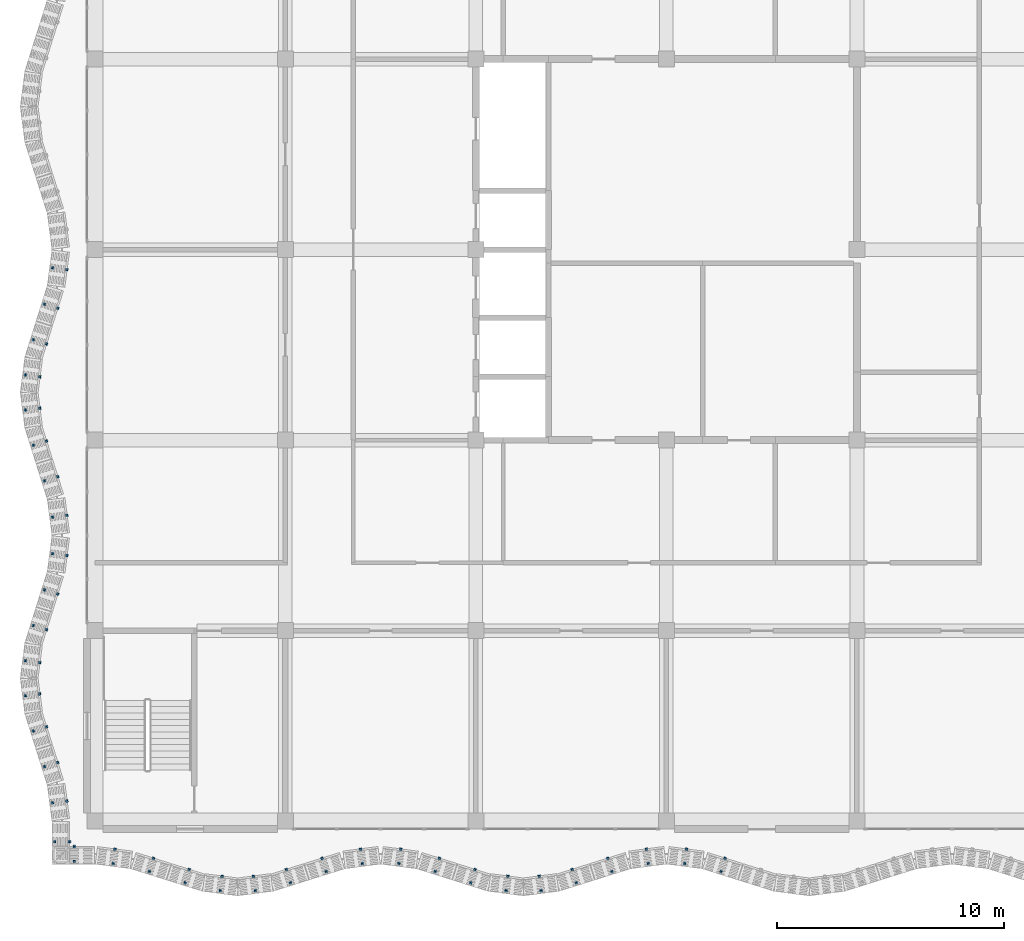
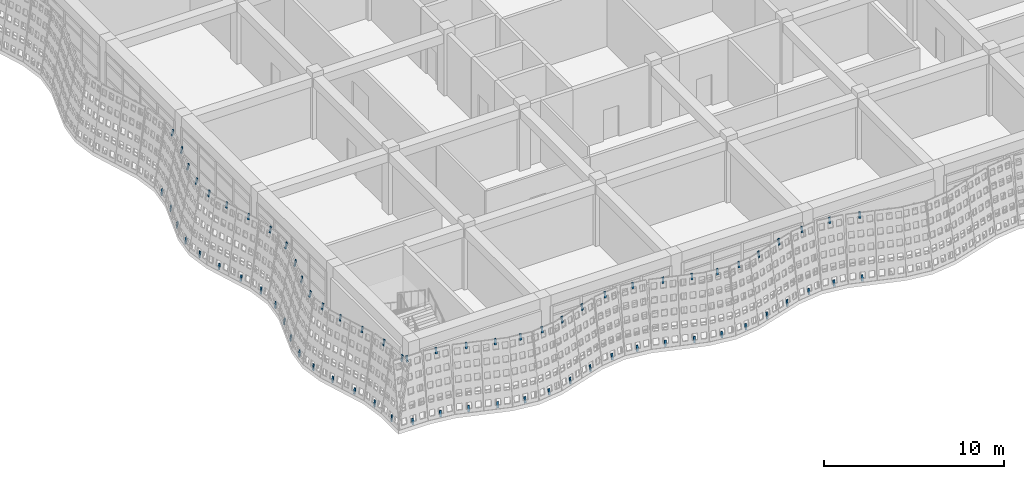
# One storey, part 99 of 162: 72 discrete accessories.
"""IFC4 building model written with IfcOpenShell, lengths in metres."""

from ifc_helpers import new_model, si_unit, direction, frame, origin, origin_2d, place, context, subcontext, project, spatial, rectangle, extrude, material, material_profile, profile_set, type_object, element, save


model = new_model("IFC4")

# Units and contexts
model_context = context("Model", 3, precision=1e-05, world=origin(), true_north=direction((0.0, 1.0)))
body_context = subcontext(model_context, "Body", "Model", "MODEL_VIEW")
ifc_project = project(units=[si_unit("LENGTHUNIT", "METRE"), si_unit("AREAUNIT", "SQUARE_METRE"), si_unit("VOLUMEUNIT", "CUBIC_METRE"), si_unit("PLANEANGLEUNIT", "RADIAN"), si_unit("MASSUNIT", "GRAM", prefix="KILO")], contexts=[model_context])

# Site, building, storey
site_placement = place(None, origin())
site = spatial("IfcSite", under=ifc_project, at=site_placement, CompositionType="ELEMENT")
building_placement = place(site_placement, origin())
building = spatial("IfcBuilding", under=site, at=building_placement, Name="Rain Tree Exposition and Congress Centre", CompositionType="ELEMENT")
storey_placement = place(building_placement, frame((0.0, 0.0, 6.0)))
storey = spatial("IfcBuildingStorey", under=building, at=storey_placement, Name="L01", CompositionType="ELEMENT", Elevation=6.0)

# Discrete accessories
ifc_material = material(Name="Steel S355J2", Category="steel")
ifc_material_profile = material_profile(ifc_material, rectangle(XDim=0.1201171875, YDim=0.050048828125, at=origin_2d()), Name="Flat bar 120x50")
ifc_profile_set = profile_set([ifc_material_profile], Name="Steel S355J2")
discrete_accessory_type = type_object("IfcDiscreteAccessoryType", Name="Screen bracket 120x50", PredefinedType="BRACKET", material=ifc_profile_set)
for number, where, z_axis, x_axis, name in (
    (1, (0.883544921875, -1.26416015625, 3.851318359375), (0.021365956631, 0.162381270396, 0.986496740452), (-0.991454295543, 0.130454512571, 0.0), "wing/bracket/L01/0011t"),
    (2, (0.801025390625, -1.898681640625, 0.004150390625), (0.021363835031, 0.162975541524, 0.986398783159), (-0.991517377774, 0.129974188098, 0.0), "wing/bracket/L01/0011b"),
):
    element("IfcDiscreteAccessory", number, at=place(storey_placement, frame(where, z_axis=z_axis, x_axis=x_axis)), inside=storey, type_object=discrete_accessory_type, Name=name, PredefinedType="BRACKET", context=body_context, shape_type="SweptSolid", body=[
        extrude(rectangle(XDim=0.1201171875, YDim=0.050048828125, at=origin_2d()), origin(), (0.0, 0.0, 1.0), 0.39990234375),
    ])
for number, where, z_axis, x_axis, name in (
    (3, (2.57861328125, -1.66552734375, 3.85107421875), (0.04699262887, 0.150742588713, 0.987455500152), (-0.954686073127, 0.297614686764, 0.0), "wing/bracket/L01/0021t"),
    (4, (2.39404296875, -2.252685546875, 0.00390625), (0.04699262887, 0.150742588713, 0.987455500152), (-0.954686073127, 0.297614686764, 0.0), "wing/bracket/L01/0021b"),
    (5, (4.150146484375, -2.159423828125, 3.85107421875), (0.047601548727, 0.150738237635, 0.987426997946), (-0.953582665134, 0.301131367937, 0.0), "wing/bracket/L01/0031t"),
    (6, (3.965576171875, -2.74658203125, 0.00390625), (0.047601548727, 0.150738237635, 0.987426997946), (-0.953582665134, 0.301131367937, 0.0), "wing/bracket/L01/0031b"),
):
    element("IfcDiscreteAccessory", number, at=place(storey_placement, frame(where, z_axis=z_axis, x_axis=x_axis)), inside=storey, type_object=discrete_accessory_type, Name=name, PredefinedType="BRACKET", context=body_context, shape_type="SweptSolid", body=[
        extrude(rectangle(XDim=0.1201171875, YDim=0.050048828125, at=origin_2d()), origin(), (0.0, 0.0, 1.0), 0.400146484375),
    ])
for number, where, z_axis, x_axis, name in (
    (7, (5.60693359375, -2.458984375, 3.851318359375), (0.021363835031, 0.162975541524, 0.986398783159), (-0.991517377774, 0.129974188098, 0.0), "wing/bracket/L01/0041t"),
    (8, (5.5244140625, -3.093505859375, 0.004150390625), (0.021363835031, 0.162975541524, 0.986398783159), (-0.991517377774, 0.129974188098, 0.0), "wing/bracket/L01/0041b"),
    (9, (6.992919921875, -2.458984375, 3.851318359375), (-0.020753706516, 0.162977636468, 0.986411462665), (-0.991989449114, -0.12632075382, 0.0), "wing/bracket/L01/0051t"),
    (10, (7.07568359375, -3.093505859375, 0.004150390625), (-0.021363835031, 0.162975541524, 0.986398783159), (-0.991517377774, -0.129974188098, 0.0), "wing/bracket/L01/0051b"),
):
    element("IfcDiscreteAccessory", number, at=place(storey_placement, frame(where, z_axis=z_axis, x_axis=x_axis)), inside=storey, type_object=discrete_accessory_type, Name=name, PredefinedType="BRACKET", context=body_context, shape_type="SweptSolid", body=[
        extrude(rectangle(XDim=0.1201171875, YDim=0.050048828125, at=origin_2d()), origin(), (0.0, 0.0, 1.0), 0.39990234375),
    ])
for number, where, z_axis, x_axis, name in (
    (11, (8.449951171875, -2.159423828125, 3.85107421875), (-0.047601548727, 0.150738237635, 0.987426997946), (-0.953582665134, -0.301131367937, 0.0), "wing/bracket/L01/0061t"),
    (12, (8.634521484375, -2.74658203125, 0.00390625), (-0.047601548727, 0.150738237635, 0.987426997946), (-0.953582665134, -0.301131367937, 0.0), "wing/bracket/L01/0061b"),
    (13, (10.021484375, -1.66552734375, 3.85107421875), (-0.04699262887, 0.150742588713, 0.987455500152), (-0.954686073127, -0.297614686764, 0.0), "wing/bracket/L01/0071t"),
    (14, (10.2060546875, -2.252685546875, 0.00390625), (-0.047601548727, 0.150738237635, 0.987426997946), (-0.953582665134, -0.301131367937, 0.0), "wing/bracket/L01/0071b"),
):
    element("IfcDiscreteAccessory", number, at=place(storey_placement, frame(where, z_axis=z_axis, x_axis=x_axis)), inside=storey, type_object=discrete_accessory_type, Name=name, PredefinedType="BRACKET", context=body_context, shape_type="SweptSolid", body=[
        extrude(rectangle(XDim=0.1201171875, YDim=0.050048828125, at=origin_2d()), origin(), (0.0, 0.0, 1.0), 0.400146484375),
    ])
for number, where, z_axis, x_axis, name in (
    (15, (11.71630859375, -1.26416015625, 3.851318359375), (-0.020755767579, 0.162383358115, 0.986509423736), (-0.991929834703, -0.126788023985, 0.0), "wing/bracket/L01/0081t"),
    (16, (11.798828125, -1.898681640625, 0.004150390625), (-0.020753706516, 0.162977636468, 0.986411462665), (-0.991989449114, -0.12632075382, 0.0), "wing/bracket/L01/0081b"),
    (17, (13.483642578125, -1.26416015625, 3.851318359375), (0.021365956631, 0.162381270396, 0.986496740452), (-0.991454295543, 0.130454512571, 0.0), "wing/bracket/L01/0091t"),
    (18, (13.401123046875, -1.898681640625, 0.004150390625), (0.020753706516, 0.162977636468, 0.986411462665), (-0.991989449114, 0.12632075382, 0.0), "wing/bracket/L01/0091b"),
):
    element("IfcDiscreteAccessory", number, at=place(storey_placement, frame(where, z_axis=z_axis, x_axis=x_axis)), inside=storey, type_object=discrete_accessory_type, Name=name, PredefinedType="BRACKET", context=body_context, shape_type="SweptSolid", body=[
        extrude(rectangle(XDim=0.1201171875, YDim=0.050048828125, at=origin_2d()), origin(), (0.0, 0.0, 1.0), 0.39990234375),
    ])
for number, where, z_axis, x_axis, name in (
    (19, (15.178466796875, -1.66552734375, 3.85107421875), (0.047601548727, 0.150738237635, 0.987426997946), (-0.953582665134, 0.301131367937, 0.0), "wing/bracket/L01/0101t"),
    (20, (14.993896484375, -2.252685546875, 0.00390625), (0.047601548727, 0.150738237635, 0.987426997946), (-0.953582665134, 0.301131367937, 0.0), "wing/bracket/L01/0101b"),
    (21, (16.75, -2.159423828125, 3.85107421875), (0.047601548727, 0.150738237635, 0.987426997946), (-0.953582665134, 0.301131367937, 0.0), "wing/bracket/L01/0111t"),
    (22, (16.565673828125, -2.74658203125, 0.00390625), (0.047601548727, 0.150738237635, 0.987426997946), (-0.953582665134, 0.301131367937, 0.0), "wing/bracket/L01/0111b"),
):
    element("IfcDiscreteAccessory", number, at=place(storey_placement, frame(where, z_axis=z_axis, x_axis=x_axis)), inside=storey, type_object=discrete_accessory_type, Name=name, PredefinedType="BRACKET", context=body_context, shape_type="SweptSolid", body=[
        extrude(rectangle(XDim=0.1201171875, YDim=0.050048828125, at=origin_2d()), origin(), (0.0, 0.0, 1.0), 0.400146484375),
    ])
for number, where, z_axis, x_axis, name in (
    (23, (18.20703125, -2.458984375, 3.851318359375), (0.020753706516, 0.162977636468, 0.986411462665), (-0.991989449114, 0.12632075382, 0.0), "wing/bracket/L01/0121t"),
    (24, (18.12451171875, -3.093505859375, 0.004150390625), (0.020753706516, 0.162977636468, 0.986411462665), (-0.991989449114, 0.12632075382, 0.0), "wing/bracket/L01/0121b"),
    (25, (19.593017578125, -2.458984375, 3.851318359375), (-0.020753706516, 0.162977636468, 0.986411462665), (-0.991989449114, -0.12632075382, 0.0), "wing/bracket/L01/0131t"),
    (26, (19.675537109375, -3.093505859375, 0.004150390625), (-0.021363835031, 0.162975541524, 0.986398783159), (-0.991517377774, -0.129974188098, 0.0), "wing/bracket/L01/0131b"),
):
    element("IfcDiscreteAccessory", number, at=place(storey_placement, frame(where, z_axis=z_axis, x_axis=x_axis)), inside=storey, type_object=discrete_accessory_type, Name=name, PredefinedType="BRACKET", context=body_context, shape_type="SweptSolid", body=[
        extrude(rectangle(XDim=0.1201171875, YDim=0.050048828125, at=origin_2d()), origin(), (0.0, 0.0, 1.0), 0.39990234375),
    ])
for number, where, z_axis, x_axis, name in (
    (27, (21.0498046875, -2.159423828125, 3.85107421875), (-0.04699262887, 0.150742588713, 0.987455500152), (-0.954686073127, -0.297614686764, 0.0), "wing/bracket/L01/0141t"),
    (28, (21.234375, -2.74658203125, 0.00390625), (-0.047601548727, 0.150738237635, 0.987426997946), (-0.953582665134, -0.301131367937, 0.0), "wing/bracket/L01/0141b"),
    (29, (22.62158203125, -1.66552734375, 3.85107421875), (-0.047601548727, 0.150738237635, 0.987426997946), (-0.953582665134, -0.301131367937, 0.0), "wing/bracket/L01/0151t"),
    (30, (22.805908203125, -2.252685546875, 0.00390625), (-0.04699262887, 0.150742588713, 0.987455500152), (-0.954686073127, -0.297614686764, 0.0), "wing/bracket/L01/0151b"),
):
    element("IfcDiscreteAccessory", number, at=place(storey_placement, frame(where, z_axis=z_axis, x_axis=x_axis)), inside=storey, type_object=discrete_accessory_type, Name=name, PredefinedType="BRACKET", context=body_context, shape_type="SweptSolid", body=[
        extrude(rectangle(XDim=0.1201171875, YDim=0.050048828125, at=origin_2d()), origin(), (0.0, 0.0, 1.0), 0.400146484375),
    ])
for number, where, z_axis, x_axis, name in (
    (31, (24.31640625, -1.26416015625, 3.851318359375), (-0.021365956631, 0.162381270396, 0.986496740452), (-0.991454295543, -0.130454512571, 0.0), "wing/bracket/L01/0161t"),
    (32, (24.39892578125, -1.898681640625, 0.004150390625), (-0.021363835031, 0.162975541524, 0.986398783159), (-0.991517377774, -0.129974188098, 0.0), "wing/bracket/L01/0161b"),
    (33, (26.08349609375, -1.26416015625, 3.851318359375), (0.021365956631, 0.162381270396, 0.986496740452), (-0.991454295543, 0.130454512571, 0.0), "wing/bracket/L01/0171t"),
    (34, (26.001220703125, -1.898681640625, 0.004150390625), (0.020753706516, 0.162977636468, 0.986411462665), (-0.991989449114, 0.12632075382, 0.0), "wing/bracket/L01/0171b"),
):
    element("IfcDiscreteAccessory", number, at=place(storey_placement, frame(where, z_axis=z_axis, x_axis=x_axis)), inside=storey, type_object=discrete_accessory_type, Name=name, PredefinedType="BRACKET", context=body_context, shape_type="SweptSolid", body=[
        extrude(rectangle(XDim=0.1201171875, YDim=0.050048828125, at=origin_2d()), origin(), (0.0, 0.0, 1.0), 0.39990234375),
    ])
for number, where, z_axis, x_axis, name in (
    (35, (27.778564453125, -1.66552734375, 3.85107421875), (0.04699262887, 0.150742588713, 0.987455500152), (-0.954686073127, 0.297614686764, 0.0), "wing/bracket/L01/0181t"),
    (36, (27.593994140625, -2.252685546875, 0.00390625), (0.04699262887, 0.150742588713, 0.987455500152), (-0.954686073127, 0.297614686764, 0.0), "wing/bracket/L01/0181b"),
):
    element("IfcDiscreteAccessory", number, at=place(storey_placement, frame(where, z_axis=z_axis, x_axis=x_axis)), inside=storey, type_object=discrete_accessory_type, Name=name, PredefinedType="BRACKET", context=body_context, shape_type="SweptSolid", body=[
        extrude(rectangle(XDim=0.1201171875, YDim=0.050048828125, at=origin_2d()), origin(), (0.0, 0.0, 1.0), 0.400146484375),
    ])
for number, where, z_axis, x_axis, name in (
    (37, (-1.26416015625, 24.31640625, 3.851318359375), (0.162381270396, -0.021365956631, 0.986496740452), (0.130454512571, 0.991454295543, 0.0), "wing/bracket/L01/1191t"),
    (38, (-1.898681640625, 24.39892578125, 0.004150390625), (0.162975541524, -0.021363835031, 0.986398783159), (0.129974188098, 0.991517377774, 0.0), "wing/bracket/L01/1191b"),
):
    element("IfcDiscreteAccessory", number, at=place(storey_placement, frame(where, z_axis=z_axis, x_axis=x_axis)), inside=storey, type_object=discrete_accessory_type, Name=name, PredefinedType="BRACKET", context=body_context, shape_type="SweptSolid", body=[
        extrude(rectangle(XDim=0.1201171875, YDim=0.050048828125, at=origin_2d()), origin(), (0.0, 0.0, 1.0), 0.39990234375),
    ])
for number, where, z_axis, x_axis, name in (
    (39, (-1.66552734375, 22.62158203125, 3.85107421875), (0.150738237635, -0.047601548727, 0.987426997946), (0.301131367937, 0.953582665134, 0.0), "wing/bracket/L01/1201t"),
    (40, (-2.252685546875, 22.805908203125, 0.00390625), (0.150742588713, -0.04699262887, 0.987455500152), (0.297614686764, 0.954686073127, 0.0), "wing/bracket/L01/1201b"),
    (41, (-2.159423828125, 21.0498046875, 3.85107421875), (0.150742588713, -0.04699262887, 0.987455500152), (0.297614686764, 0.954686073127, 0.0), "wing/bracket/L01/1211t"),
    (42, (-2.74658203125, 21.234375, 0.00390625), (0.150738237635, -0.047601548727, 0.987426997946), (0.301131367937, 0.953582665134, 0.0), "wing/bracket/L01/1211b"),
):
    element("IfcDiscreteAccessory", number, at=place(storey_placement, frame(where, z_axis=z_axis, x_axis=x_axis)), inside=storey, type_object=discrete_accessory_type, Name=name, PredefinedType="BRACKET", context=body_context, shape_type="SweptSolid", body=[
        extrude(rectangle(XDim=0.1201171875, YDim=0.050048828125, at=origin_2d()), origin(), (0.0, 0.0, 1.0), 0.400146484375),
    ])
for number, where, z_axis, x_axis, name in (
    (43, (-2.458984375, 19.593017578125, 3.851318359375), (0.162977636468, -0.020753706516, 0.986411462665), (0.12632075382, 0.991989449114, 0.0), "wing/bracket/L01/1221t"),
    (44, (-3.093505859375, 19.675537109375, 0.004150390625), (0.162975541524, -0.021363835031, 0.986398783159), (0.129974188098, 0.991517377774, 0.0), "wing/bracket/L01/1221b"),
    (45, (-2.458984375, 18.20703125, 3.851318359375), (0.162977636468, 0.020753706516, 0.986411462665), (-0.12632075382, 0.991989449114, 0.0), "wing/bracket/L01/1231t"),
    (46, (-3.093505859375, 18.12451171875, 0.004150390625), (0.162977636468, 0.020753706516, 0.986411462665), (-0.12632075382, 0.991989449114, 0.0), "wing/bracket/L01/1231b"),
):
    element("IfcDiscreteAccessory", number, at=place(storey_placement, frame(where, z_axis=z_axis, x_axis=x_axis)), inside=storey, type_object=discrete_accessory_type, Name=name, PredefinedType="BRACKET", context=body_context, shape_type="SweptSolid", body=[
        extrude(rectangle(XDim=0.1201171875, YDim=0.050048828125, at=origin_2d()), origin(), (0.0, 0.0, 1.0), 0.39990234375),
    ])
for number, where, z_axis, x_axis, name in (
    (47, (-2.159423828125, 16.75, 3.85107421875), (0.150738237635, 0.047601548727, 0.987426997946), (-0.301131367937, 0.953582665134, 0.0), "wing/bracket/L01/1241t"),
    (48, (-2.74658203125, 16.565673828125, 0.00390625), (0.150738237635, 0.047601548727, 0.987426997946), (-0.301131367937, 0.953582665134, 0.0), "wing/bracket/L01/1241b"),
    (49, (-1.66552734375, 15.178466796875, 3.85107421875), (0.150738237635, 0.047601548727, 0.987426997946), (-0.301131367937, 0.953582665134, 0.0), "wing/bracket/L01/1251t"),
    (50, (-2.252685546875, 14.993896484375, 0.00390625), (0.150738237635, 0.047601548727, 0.987426997946), (-0.301131367937, 0.953582665134, 0.0), "wing/bracket/L01/1251b"),
):
    element("IfcDiscreteAccessory", number, at=place(storey_placement, frame(where, z_axis=z_axis, x_axis=x_axis)), inside=storey, type_object=discrete_accessory_type, Name=name, PredefinedType="BRACKET", context=body_context, shape_type="SweptSolid", body=[
        extrude(rectangle(XDim=0.1201171875, YDim=0.050048828125, at=origin_2d()), origin(), (0.0, 0.0, 1.0), 0.400146484375),
    ])
for number, where, z_axis, x_axis, name in (
    (51, (-1.26416015625, 13.483642578125, 3.851318359375), (0.162381270396, 0.021365956631, 0.986496740452), (-0.130454512571, 0.991454295543, 0.0), "wing/bracket/L01/1261t"),
    (52, (-1.898681640625, 13.401123046875, 0.004150390625), (0.162977636468, 0.020753706516, 0.986411462665), (-0.12632075382, 0.991989449114, 0.0), "wing/bracket/L01/1261b"),
    (53, (-1.26416015625, 11.71630859375, 3.851318359375), (0.162383358115, -0.020755767579, 0.986509423736), (0.126788023985, 0.991929834703, 0.0), "wing/bracket/L01/1271t"),
    (54, (-1.898681640625, 11.798828125, 0.004150390625), (0.162977636468, -0.020753706516, 0.986411462665), (0.12632075382, 0.991989449114, 0.0), "wing/bracket/L01/1271b"),
):
    element("IfcDiscreteAccessory", number, at=place(storey_placement, frame(where, z_axis=z_axis, x_axis=x_axis)), inside=storey, type_object=discrete_accessory_type, Name=name, PredefinedType="BRACKET", context=body_context, shape_type="SweptSolid", body=[
        extrude(rectangle(XDim=0.1201171875, YDim=0.050048828125, at=origin_2d()), origin(), (0.0, 0.0, 1.0), 0.39990234375),
    ])
for number, where, z_axis, x_axis, name in (
    (55, (-1.66552734375, 10.021484375, 3.85107421875), (0.150742588713, -0.04699262887, 0.987455500152), (0.297614686764, 0.954686073127, 0.0), "wing/bracket/L01/1281t"),
    (56, (-2.252685546875, 10.2060546875, 0.00390625), (0.150738237635, -0.047601548727, 0.987426997946), (0.301131367937, 0.953582665134, 0.0), "wing/bracket/L01/1281b"),
    (57, (-2.159423828125, 8.449951171875, 3.85107421875), (0.150738237635, -0.047601548727, 0.987426997946), (0.301131367937, 0.953582665134, 0.0), "wing/bracket/L01/1291t"),
    (58, (-2.74658203125, 8.634521484375, 0.00390625), (0.150738237635, -0.047601548727, 0.987426997946), (0.301131367937, 0.953582665134, 0.0), "wing/bracket/L01/1291b"),
):
    element("IfcDiscreteAccessory", number, at=place(storey_placement, frame(where, z_axis=z_axis, x_axis=x_axis)), inside=storey, type_object=discrete_accessory_type, Name=name, PredefinedType="BRACKET", context=body_context, shape_type="SweptSolid", body=[
        extrude(rectangle(XDim=0.1201171875, YDim=0.050048828125, at=origin_2d()), origin(), (0.0, 0.0, 1.0), 0.400146484375),
    ])
for number, where, z_axis, x_axis, name in (
    (59, (-2.458984375, 6.992919921875, 3.851318359375), (0.162977636468, -0.020753706516, 0.986411462665), (0.12632075382, 0.991989449114, 0.0), "wing/bracket/L01/1301t"),
    (60, (-3.093505859375, 7.07568359375, 0.004150390625), (0.162975541524, -0.021363835031, 0.986398783159), (0.129974188098, 0.991517377774, 0.0), "wing/bracket/L01/1301b"),
    (61, (-2.458984375, 5.60693359375, 3.851318359375), (0.162975541524, 0.021363835031, 0.986398783159), (-0.129974188098, 0.991517377774, 0.0), "wing/bracket/L01/1311t"),
    (62, (-3.093505859375, 5.5244140625, 0.004150390625), (0.162975541524, 0.021363835031, 0.986398783159), (-0.129974188098, 0.991517377774, 0.0), "wing/bracket/L01/1311b"),
):
    element("IfcDiscreteAccessory", number, at=place(storey_placement, frame(where, z_axis=z_axis, x_axis=x_axis)), inside=storey, type_object=discrete_accessory_type, Name=name, PredefinedType="BRACKET", context=body_context, shape_type="SweptSolid", body=[
        extrude(rectangle(XDim=0.1201171875, YDim=0.050048828125, at=origin_2d()), origin(), (0.0, 0.0, 1.0), 0.39990234375),
    ])
for number, where, z_axis, x_axis, name in (
    (63, (-2.159423828125, 4.150146484375, 3.85107421875), (0.150738237635, 0.047601548727, 0.987426997946), (-0.301131367937, 0.953582665134, 0.0), "wing/bracket/L01/1321t"),
    (64, (-2.74658203125, 3.965576171875, 0.00390625), (0.150738237635, 0.047601548727, 0.987426997946), (-0.301131367937, 0.953582665134, 0.0), "wing/bracket/L01/1321b"),
    (65, (-1.66552734375, 2.57861328125, 3.85107421875), (0.150742588713, 0.04699262887, 0.987455500152), (-0.297614686764, 0.954686073127, 0.0), "wing/bracket/L01/1331t"),
    (66, (-2.252685546875, 2.39404296875, 0.00390625), (0.150742588713, 0.04699262887, 0.987455500152), (-0.297614686764, 0.954686073127, 0.0), "wing/bracket/L01/1331b"),
):
    element("IfcDiscreteAccessory", number, at=place(storey_placement, frame(where, z_axis=z_axis, x_axis=x_axis)), inside=storey, type_object=discrete_accessory_type, Name=name, PredefinedType="BRACKET", context=body_context, shape_type="SweptSolid", body=[
        extrude(rectangle(XDim=0.1201171875, YDim=0.050048828125, at=origin_2d()), origin(), (0.0, 0.0, 1.0), 0.400146484375),
    ])
for number, where, z_axis, x_axis, name in (
    (67, (-1.26416015625, 0.883544921875, 3.851318359375), (0.162381270396, 0.021365956631, 0.986496740452), (-0.130454512571, 0.991454295543, 0.0), "wing/bracket/L01/1341t"),
    (68, (-1.898681640625, 0.801025390625, 0.004150390625), (0.162975541524, 0.021363835031, 0.986398783159), (-0.129974188098, 0.991517377774, 0.0), "wing/bracket/L01/1341b"),
    (69, (-1.14990234375, -0.91015625, 3.851318359375), (0.164794877674, 0.0, 0.986327860446), (0.0, 1.0, 0.0), "wing/bracket/L01/1351t"),
):
    element("IfcDiscreteAccessory", number, at=place(storey_placement, frame(where, z_axis=z_axis, x_axis=x_axis)), inside=storey, type_object=discrete_accessory_type, Name=name, PredefinedType="BRACKET", context=body_context, shape_type="SweptSolid", body=[
        extrude(rectangle(XDim=0.1201171875, YDim=0.050048828125, at=origin_2d()), origin(), (0.0, 0.0, 1.0), 0.39990234375),
    ])
discrete_accessory_1_placement = place(storey_placement, frame((-1.795166015625, -0.91015625, 0.004150390625), z_axis=(0.165388563864, 0.0, 0.986228484147), x_axis=(0.0, 1.0, 0.0)))
element("IfcDiscreteAccessory", 70, at=discrete_accessory_1_placement, inside=storey, type_object=discrete_accessory_type, Name="wing/bracket/L01/1351b", PredefinedType="BRACKET", context=body_context, shape_type="SweptSolid", body=[
    extrude(rectangle(XDim=0.1201171875, YDim=0.050048828125, at=origin_2d()), origin(), (0.0, 0.0, 1.0), 0.400146484375),
])
discrete_accessory_2_placement = place(storey_placement, frame((-0.91015625, -1.14990234375, 3.851318359375), z_axis=(0.0, 0.164794877674, 0.986327860446), x_axis=(-1.0, 0.0, 0.0)))
element("IfcDiscreteAccessory", 71, at=discrete_accessory_2_placement, inside=storey, type_object=discrete_accessory_type, Name="wing/bracket/L01/1361t", PredefinedType="BRACKET", context=body_context, shape_type="SweptSolid", body=[
    extrude(rectangle(XDim=0.1201171875, YDim=0.050048828125, at=origin_2d()), origin(), (0.0, 0.0, 1.0), 0.39990234375),
])
discrete_accessory_3_placement = place(storey_placement, frame((-0.91015625, -1.795166015625, 0.004150390625), z_axis=(0.0, 0.165388563864, 0.986228484147), x_axis=(-1.0, 0.0, 0.0)))
element("IfcDiscreteAccessory", 72, at=discrete_accessory_3_placement, inside=storey, type_object=discrete_accessory_type, Name="wing/bracket/L01/1361b", PredefinedType="BRACKET", context=body_context, shape_type="SweptSolid", body=[
    extrude(rectangle(XDim=0.1201171875, YDim=0.050048828125, at=origin_2d()), origin(), (0.0, 0.0, 1.0), 0.400146484375),
])

save(model, "model.ifc")
